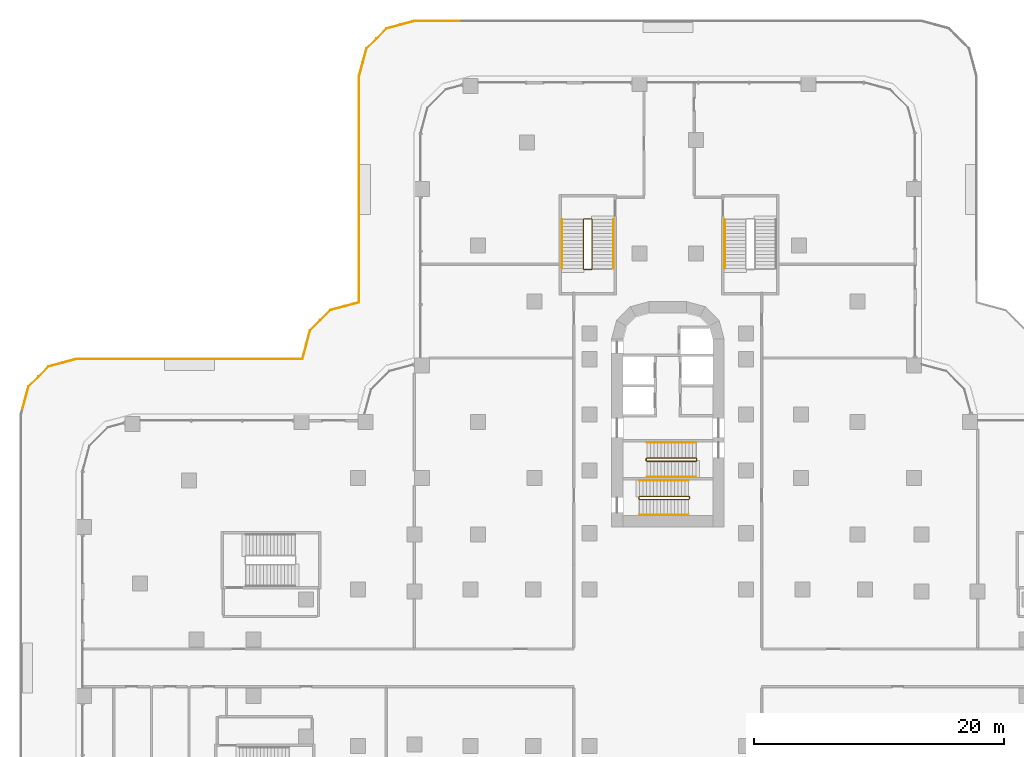
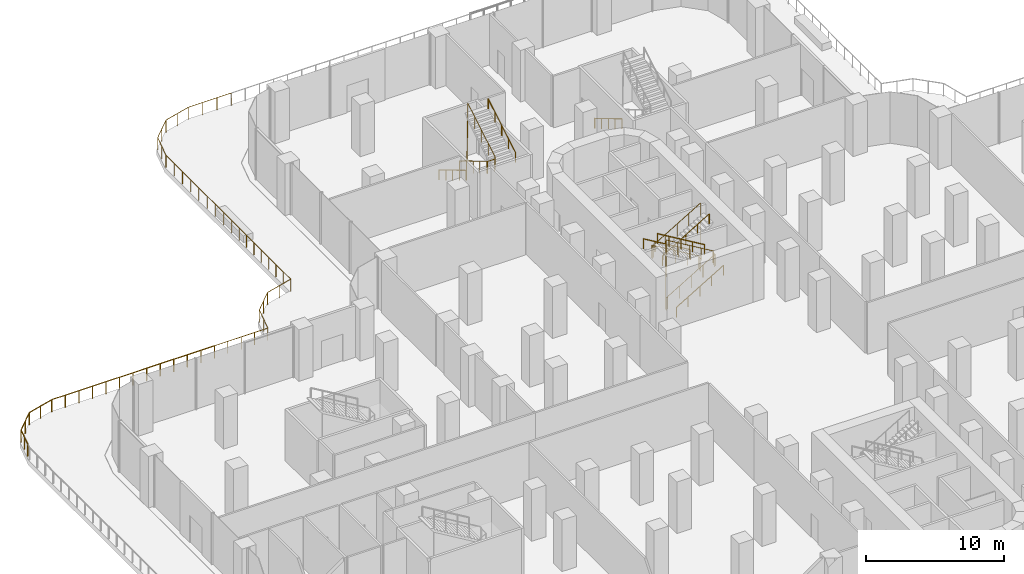
# One storey, part 27 of 29: 13 railings.
"""IFC4 building model written with IfcOpenShell, lengths in metres."""

from ifc_helpers import new_model, si_unit, direction, frame, origin, origin_2d, place, context, subcontext, project, spatial, circle, extrude, material, type_object, element, save


model = new_model("IFC4")

# Units and contexts
model_context = context("Model", 3, precision=1e-05, world=origin(), true_north=direction((0.0, 1.0)))
body_context = subcontext(model_context, "Body", "Model", "MODEL_VIEW")
ifc_project = project(units=[si_unit("LENGTHUNIT", "METRE"), si_unit("AREAUNIT", "SQUARE_METRE"), si_unit("VOLUMEUNIT", "CUBIC_METRE"), si_unit("PLANEANGLEUNIT", "RADIAN"), si_unit("MASSUNIT", "GRAM", prefix="KILO")], contexts=[model_context])

# Site, building, storey
site_placement = place(None, origin())
site = spatial("IfcSite", under=ifc_project, at=site_placement, CompositionType="ELEMENT")
building_placement = place(site_placement, origin())
building = spatial("IfcBuilding", under=site, at=building_placement, Name="Zarbagh Exchange Tower", CompositionType="ELEMENT")
storey_placement = place(building_placement, frame((0.0, 0.0, 12.0)))
storey = spatial("IfcBuildingStorey", under=building, at=storey_placement, Name="L02", CompositionType="ELEMENT", Elevation=12.0)

# Railings
ifc_material_1 = material(Name="Stainless steel", Category="steel")
railing_type_1 = type_object("IfcRailingType", Name="Stair guard 1100 mm", PredefinedType="GUARDRAIL", material=ifc_material_1)
railing_1_placement = place(storey_placement, frame((-1.669921875, 16.5, 2.666748046875)))
element("IfcRailing", 1, at=railing_1_placement, inside=storey, type_object=railing_type_1, Name="ST1 stair guard 1", PredefinedType="GUARDRAIL", context=body_context, shape_type="SweptSolid", body=[
    extrude(circle(Radius=0.02392578125, at=origin_2d()), frame((0.0, 0.0, 1.076171875), z_axis=(0.859296244711, 0.0, 0.511478214419), x_axis=(0.0, 1.0, 0.0)), (0.0, 0.0, 1.0), 4.561767578125),
    extrude(circle(Radius=0.02392578125, at=origin_2d()), frame((3.919921875, 0.0, 3.4091796875), z_axis=(0.010008762843, 0.010008762843, -0.999899819648), x_axis=(-0.707106781187, 0.707106781187, 0.0)), (0.0, 0.0, 1.0), 5.00048828125),
    extrude(circle(Radius=0.02392578125, at=origin_2d()), frame((3.969970703125, 0.050048828125, -1.5908203125), z_axis=(0.0, 1.0, 0.0), x_axis=(-1.0, 0.0, 0.0)), (0.0, 0.0, 1.0), 0.14990234375),
    extrude(circle(Radius=0.02392578125, at=origin_2d()), frame((3.969970703125, 0.199951171875, -1.5908203125), z_axis=(-0.27628659633, 0.27628659633, 0.920506074601), x_axis=(-0.707106781187, -0.707106781187, 0.0)), (0.0, 0.0, 1.0), 0.18115234375),
    extrude(circle(Radius=0.02392578125, at=origin_2d()), frame((3.919921875, 0.25, -1.423828125), z_axis=(-0.859296244711, 0.0, 0.511478214419), x_axis=(0.0, -1.0, 0.0)), (0.0, 0.0, 1.0), 4.561767578125),
    extrude(circle(Radius=0.02392578125, at=origin_2d()), frame((0.0, 0.25, 0.9091796875), z_axis=(-0.707106781187, -0.707106781187, 0.0), x_axis=(0.707106781187, -0.707106781187, 0.0)), (0.0, 0.0, 1.0), 0.07080078125),
    extrude(circle(Radius=0.02392578125, at=origin_2d()), frame((-0.050048828125, 0.199951171875, 0.9091796875), z_axis=(0.0, -1.0, 0.0), x_axis=(1.0, 0.0, 0.0)), (0.0, 0.0, 1.0), 0.14990234375),
    extrude(circle(Radius=0.02099609375, at=origin_2d()), origin(), (0.0, 0.0, 1.0), 1.052001953125),
    extrude(circle(Radius=0.02099609375, at=origin_2d()), frame((0.97998046875, 0.0, 0.583251953125)), (0.0, 0.0, 1.0), 1.052001953125),
    extrude(circle(Radius=0.02099609375, at=origin_2d()), frame((1.9599609375, 0.0, 1.16650390625)), (0.0, 0.0, 1.0), 1.052001953125),
    extrude(circle(Radius=0.02099609375, at=origin_2d()), frame((2.93994140625, 0.0, 1.75)), (0.0, 0.0, 1.0), 1.052001953125),
    extrude(circle(Radius=0.02099609375, at=origin_2d()), frame((3.919921875, 0.0, 2.333251953125)), (0.0, 0.0, 1.0), 1.052001953125),
    extrude(circle(Radius=0.02099609375, at=origin_2d()), frame((3.929931640625, 0.010009765625, 1.333251953125)), (0.0, 0.0, 1.0), 1.052001953125),
    extrude(circle(Radius=0.02099609375, at=origin_2d()), frame((3.93994140625, 0.02001953125, 0.333251953125)), (0.0, 0.0, 1.0), 1.052001953125),
    extrude(circle(Radius=0.02099609375, at=origin_2d()), frame((3.949951171875, 0.030029296875, -0.666748046875)), (0.0, 0.0, 1.0), 1.052001953125),
    extrude(circle(Radius=0.02099609375, at=origin_2d()), frame((3.9599609375, 0.0400390625, -1.666748046875)), (0.0, 0.0, 1.0), 1.052001953125),
    extrude(circle(Radius=0.02099609375, at=origin_2d()), frame((3.969970703125, 0.050048828125, -2.666748046875)), (0.0, 0.0, 1.0), 1.052001953125),
    extrude(circle(Radius=0.02099609375, at=origin_2d()), frame((3.969970703125, 0.199951171875, -2.666748046875)), (0.0, 0.0, 1.0), 1.052001953125),
    extrude(circle(Radius=0.02099609375, at=origin_2d()), frame((3.919921875, 0.25, -2.5)), (0.0, 0.0, 1.0), 1.052001953125),
    extrude(circle(Radius=0.02099609375, at=origin_2d()), frame((2.93994140625, 0.25, -1.916748046875)), (0.0, 0.0, 1.0), 1.052001953125),
    extrude(circle(Radius=0.02099609375, at=origin_2d()), frame((1.9599609375, 0.25, -1.33349609375)), (0.0, 0.0, 1.0), 1.052001953125),
    extrude(circle(Radius=0.02099609375, at=origin_2d()), frame((0.97998046875, 0.25, -0.75)), (0.0, 0.0, 1.0), 1.052001953125),
    extrude(circle(Radius=0.02099609375, at=origin_2d()), frame((0.0, 0.25, -0.166748046875)), (0.0, 0.0, 1.0), 1.052001953125),
    extrude(circle(Radius=0.02099609375, at=origin_2d()), frame((-0.050048828125, 0.199951171875, -0.166748046875)), (0.0, 0.0, 1.0), 1.052001953125),
    extrude(circle(Radius=0.02099609375, at=origin_2d()), frame((-0.050048828125, 0.050048828125, -0.166748046875)), (0.0, 0.0, 1.0), 1.052001953125),
])
railing_2_placement = place(storey_placement, frame((1.719970703125, 13.5, 2.5)))
element("IfcRailing", 2, at=railing_2_placement, inside=storey, type_object=railing_type_1, Name="ST2 stair guard 1", PredefinedType="GUARDRAIL", context=body_context, shape_type="SweptSolid", body=[
    extrude(circle(Radius=0.02392578125, at=origin_2d()), frame((0.0, 0.0, 1.076171875), z_axis=(0.0, 1.0, 0.0), x_axis=(-1.0, 0.0, 0.0)), (0.0, 0.0, 1.0), 0.14990234375),
    extrude(circle(Radius=0.02392578125, at=origin_2d()), frame((0.0, 0.14990234375, 1.076171875), z_axis=(-0.27628659633, 0.27628659633, 0.920506074601), x_axis=(-0.707106781187, -0.707106781187, 0.0)), (0.0, 0.0, 1.0), 0.18115234375),
    extrude(circle(Radius=0.02392578125, at=origin_2d()), frame((-0.050048828125, 0.199951171875, 1.24267578125), z_axis=(-0.859296244711, 0.0, 0.511478214419), x_axis=(0.0, -1.0, 0.0)), (0.0, 0.0, 1.0), 4.561767578125),
    extrude(circle(Radius=0.02392578125, at=origin_2d()), frame((-3.969970703125, 0.199951171875, 3.576171875), z_axis=(-0.010008762843, -0.010008762843, -0.999899819648), x_axis=(0.707106781187, -0.707106781187, 0.0)), (0.0, 0.0, 1.0), 5.00048828125),
    extrude(circle(Radius=0.02392578125, at=origin_2d()), frame((-4.02001953125, 0.14990234375, -1.423828125), z_axis=(0.0, -1.0, 0.0), x_axis=(1.0, 0.0, 0.0)), (0.0, 0.0, 1.0), 0.14990234375),
    extrude(circle(Radius=0.02392578125, at=origin_2d()), frame((-4.02001953125, 0.0, -1.423828125), z_axis=(0.27628659633, -0.27628659633, 0.920506074601), x_axis=(0.707106781187, 0.707106781187, 0.0)), (0.0, 0.0, 1.0), 0.18115234375),
    extrude(circle(Radius=0.02392578125, at=origin_2d()), frame((-3.969970703125, -0.050048828125, -1.25732421875), z_axis=(0.859296244711, 0.0, 0.511478214419), x_axis=(0.0, 1.0, 0.0)), (0.0, 0.0, 1.0), 4.561767578125),
    extrude(circle(Radius=0.02099609375, at=origin_2d()), origin(), (0.0, 0.0, 1.0), 1.052001953125),
    extrude(circle(Radius=0.02099609375, at=origin_2d()), frame((0.0, 0.14990234375, 0.0)), (0.0, 0.0, 1.0), 1.052001953125),
    extrude(circle(Radius=0.02099609375, at=origin_2d()), frame((-0.050048828125, 0.199951171875, 0.166748046875)), (0.0, 0.0, 1.0), 1.052001953125),
    extrude(circle(Radius=0.02099609375, at=origin_2d()), frame((-1.030029296875, 0.199951171875, 0.75)), (0.0, 0.0, 1.0), 1.052001953125),
    extrude(circle(Radius=0.02099609375, at=origin_2d()), frame((-2.010009765625, 0.199951171875, 1.33349609375)), (0.0, 0.0, 1.0), 1.052001953125),
    extrude(circle(Radius=0.02099609375, at=origin_2d()), frame((-2.989990234375, 0.199951171875, 1.916748046875)), (0.0, 0.0, 1.0), 1.052001953125),
    extrude(circle(Radius=0.02099609375, at=origin_2d()), frame((-3.969970703125, 0.199951171875, 2.5)), (0.0, 0.0, 1.0), 1.052001953125),
    extrude(circle(Radius=0.02099609375, at=origin_2d()), frame((-3.97998046875, 0.18994140625, 1.5)), (0.0, 0.0, 1.0), 1.052001953125),
    extrude(circle(Radius=0.02099609375, at=origin_2d()), frame((-3.989990234375, 0.179931640625, 0.5)), (0.0, 0.0, 1.0), 1.052001953125),
    extrude(circle(Radius=0.02099609375, at=origin_2d()), frame((-4.0, 0.169921875, -0.5)), (0.0, 0.0, 1.0), 1.052001953125),
    extrude(circle(Radius=0.02099609375, at=origin_2d()), frame((-4.010009765625, 0.159912109375, -1.5)), (0.0, 0.0, 1.0), 1.052001953125),
    extrude(circle(Radius=0.02099609375, at=origin_2d()), frame((-4.02001953125, 0.14990234375, -2.5)), (0.0, 0.0, 1.0), 1.052001953125),
    extrude(circle(Radius=0.02099609375, at=origin_2d()), frame((-4.02001953125, 0.0, -2.5)), (0.0, 0.0, 1.0), 1.052001953125),
    extrude(circle(Radius=0.02099609375, at=origin_2d()), frame((-3.969970703125, -0.050048828125, -2.333251953125)), (0.0, 0.0, 1.0), 1.052001953125),
    extrude(circle(Radius=0.02099609375, at=origin_2d()), frame((-2.989990234375, -0.050048828125, -1.75)), (0.0, 0.0, 1.0), 1.052001953125),
    extrude(circle(Radius=0.02099609375, at=origin_2d()), frame((-2.010009765625, -0.050048828125, -1.16650390625)), (0.0, 0.0, 1.0), 1.052001953125),
    extrude(circle(Radius=0.02099609375, at=origin_2d()), frame((-1.030029296875, -0.050048828125, -0.583251953125)), (0.0, 0.0, 1.0), 1.052001953125),
    extrude(circle(Radius=0.02099609375, at=origin_2d()), frame((-0.050048828125, -0.050048828125, 0.0)), (0.0, 0.0, 1.0), 1.052001953125),
])
railing_3_placement = place(storey_placement, frame((-6.75, 35.800048828125, 0.166748046875)))
element("IfcRailing", 3, at=railing_3_placement, inside=storey, type_object=railing_type_1, Name="PS1 stair guard 1", PredefinedType="GUARDRAIL", context=body_context, shape_type="SweptSolid", body=[
    extrude(circle(Radius=0.02392578125, at=origin_2d()), frame((0.0, 0.0, 1.076171875), z_axis=(0.0, -0.859310244771, 0.511454693235), x_axis=(1.0, 0.0, 0.0)), (0.0, 0.0, 1.0), 4.56201171875),
    extrude(circle(Radius=0.02392578125, at=origin_2d()), frame((0.0, -3.920166015625, 3.4091796875), z_axis=(0.708833529934, -0.705375805398, 0.0), x_axis=(0.705375805398, 0.708833529934, 0.0)), (0.0, 0.0, 1.0), 0.070556640625),
    extrude(circle(Radius=0.02392578125, at=origin_2d()), frame((0.050048828125, -3.969970703125, 3.4091796875), z_axis=(1.0, 0.0, 0.0), x_axis=(0.0, 1.0, 0.0)), (0.0, 0.0, 1.0), 0.599853515625),
    extrude(circle(Radius=0.02392578125, at=origin_2d()), frame((0.64990234375, -3.969970703125, 3.4091796875), z_axis=(0.276389281352, 0.275041040955, 0.920848191041), x_axis=(-0.705375805398, 0.708833529934, 0.0)), (0.0, 0.0, 1.0), 0.18115234375),
    extrude(circle(Radius=0.02392578125, at=origin_2d()), frame((0.699951171875, -3.920166015625, 3.576171875), z_axis=(0.0, 0.859310244771, 0.511454693235), x_axis=(-1.0, 0.0, 0.0)), (0.0, 0.0, 1.0), 4.56201171875),
    extrude(circle(Radius=0.02392578125, at=origin_2d()), frame((0.699951171875, 0.0, 5.9091796875), z_axis=(-0.010008762843, 0.010008762843, -0.999899819648), x_axis=(-0.707106781187, -0.707106781187, 0.0)), (0.0, 0.0, 1.0), 5.00048828125),
    extrude(circle(Radius=0.02392578125, at=origin_2d()), frame((0.64990234375, 0.050048828125, 0.9091796875), z_axis=(-1.0, 0.0, 0.0), x_axis=(0.0, -1.0, 0.0)), (0.0, 0.0, 1.0), 0.599853515625),
    extrude(circle(Radius=0.02099609375, at=origin_2d()), origin(), (0.0, 0.0, 1.0), 1.052001953125),
    extrude(circle(Radius=0.02099609375, at=origin_2d()), frame((0.0, -0.97998046875, 0.583251953125)), (0.0, 0.0, 1.0), 1.052001953125),
    extrude(circle(Radius=0.02099609375, at=origin_2d()), frame((0.0, -1.9599609375, 1.16650390625)), (0.0, 0.0, 1.0), 1.052001953125),
    extrude(circle(Radius=0.02099609375, at=origin_2d()), frame((0.0, -2.940185546875, 1.75)), (0.0, 0.0, 1.0), 1.052001953125),
    extrude(circle(Radius=0.02099609375, at=origin_2d()), frame((0.0, -3.920166015625, 2.333251953125)), (0.0, 0.0, 1.0), 1.052001953125),
    extrude(circle(Radius=0.02099609375, at=origin_2d()), frame((0.050048828125, -3.969970703125, 2.333251953125)), (0.0, 0.0, 1.0), 1.052001953125),
    extrude(circle(Radius=0.02099609375, at=origin_2d()), frame((0.64990234375, -3.969970703125, 2.333251953125)), (0.0, 0.0, 1.0), 1.052001953125),
    extrude(circle(Radius=0.02099609375, at=origin_2d()), frame((0.699951171875, -3.920166015625, 2.5)), (0.0, 0.0, 1.0), 1.052001953125),
    extrude(circle(Radius=0.02099609375, at=origin_2d()), frame((0.699951171875, -2.940185546875, 3.083251953125)), (0.0, 0.0, 1.0), 1.052001953125),
    extrude(circle(Radius=0.02099609375, at=origin_2d()), frame((0.699951171875, -1.9599609375, 3.66650390625)), (0.0, 0.0, 1.0), 1.052001953125),
    extrude(circle(Radius=0.02099609375, at=origin_2d()), frame((0.699951171875, -0.97998046875, 4.25)), (0.0, 0.0, 1.0), 1.052001953125),
    extrude(circle(Radius=0.02099609375, at=origin_2d()), frame((0.699951171875, 0.0, 4.833251953125)), (0.0, 0.0, 1.0), 1.052001953125),
    extrude(circle(Radius=0.02099609375, at=origin_2d()), frame((0.68994140625, 0.010009765625, 3.833251953125)), (0.0, 0.0, 1.0), 1.052001953125),
    extrude(circle(Radius=0.02099609375, at=origin_2d()), frame((0.679931640625, 0.02001953125, 2.833251953125)), (0.0, 0.0, 1.0), 1.052001953125),
    extrude(circle(Radius=0.02099609375, at=origin_2d()), frame((0.669921875, 0.030029296875, 1.833251953125)), (0.0, 0.0, 1.0), 1.052001953125),
    extrude(circle(Radius=0.02099609375, at=origin_2d()), frame((0.659912109375, 0.0400390625, 0.833251953125)), (0.0, 0.0, 1.0), 1.052001953125),
    extrude(circle(Radius=0.02099609375, at=origin_2d()), frame((0.64990234375, 0.050048828125, -0.166748046875)), (0.0, 0.0, 1.0), 1.052001953125),
    extrude(circle(Radius=0.02099609375, at=origin_2d()), frame((0.050048828125, 0.050048828125, -0.166748046875)), (0.0, 0.0, 1.0), 1.052001953125),
])
railing_type_2 = type_object("IfcRailingType", Name="Stair handrail 900 mm", PredefinedType="HANDRAIL", material=ifc_material_1)
railing_4_placement = place(storey_placement, frame((2.25, 18.0, 0.166748046875)))
element("IfcRailing", 4, at=railing_4_placement, inside=storey, type_object=railing_type_2, Name="ST1 stair handrail 1", PredefinedType="HANDRAIL", context=body_context, shape_type="SweptSolid", body=[
    extrude(circle(Radius=0.02392578125, at=origin_2d()), frame((0.0, 0.0, 0.8759765625), z_axis=(-0.859296244711, 0.0, 0.511478214419), x_axis=(0.0, -1.0, 0.0)), (0.0, 0.0, 1.0), 4.561767578125),
    extrude(circle(Radius=0.02099609375, at=origin_2d()), origin(), (0.0, 0.0, 1.0), 0.851806640625),
    extrude(circle(Radius=0.02099609375, at=origin_2d()), frame((-0.97998046875, 0.0, 0.583251953125)), (0.0, 0.0, 1.0), 0.851806640625),
    extrude(circle(Radius=0.02099609375, at=origin_2d()), frame((-1.9599609375, 0.0, 1.16650390625)), (0.0, 0.0, 1.0), 0.851806640625),
    extrude(circle(Radius=0.02099609375, at=origin_2d()), frame((-2.93994140625, 0.0, 1.75)), (0.0, 0.0, 1.0), 0.851806640625),
    extrude(circle(Radius=0.02099609375, at=origin_2d()), frame((-3.919921875, 0.0, 2.333251953125)), (0.0, 0.0, 1.0), 0.851806640625),
])
for number, where, name in (
    (5, (-1.669921875, 15.25, 2.666748046875), "ST1 stair handrail 2"),
    (6, (-2.25, 12.199951171875, 0.166748046875), "ST2 stair handrail 1"),
):
    element("IfcRailing", number, at=place(storey_placement, frame(where)), inside=storey, type_object=railing_type_2, Name=name, PredefinedType="HANDRAIL", context=body_context, shape_type="SweptSolid", body=[
        extrude(circle(Radius=0.02392578125, at=origin_2d()), frame((0.0, 0.0, 0.8759765625), z_axis=(0.859296244711, 0.0, 0.511478214419), x_axis=(0.0, 1.0, 0.0)), (0.0, 0.0, 1.0), 4.561767578125),
        extrude(circle(Radius=0.02099609375, at=origin_2d()), origin(), (0.0, 0.0, 1.0), 0.851806640625),
        extrude(circle(Radius=0.02099609375, at=origin_2d()), frame((0.97998046875, 0.0, 0.583251953125)), (0.0, 0.0, 1.0), 0.851806640625),
        extrude(circle(Radius=0.02099609375, at=origin_2d()), frame((1.9599609375, 0.0, 1.16650390625)), (0.0, 0.0, 1.0), 0.851806640625),
        extrude(circle(Radius=0.02099609375, at=origin_2d()), frame((2.93994140625, 0.0, 1.75)), (0.0, 0.0, 1.0), 0.851806640625),
        extrude(circle(Radius=0.02099609375, at=origin_2d()), frame((3.919921875, 0.0, 2.333251953125)), (0.0, 0.0, 1.0), 0.851806640625),
    ])
railing_5_placement = place(storey_placement, frame((1.669921875, 14.949951171875, 2.666748046875)))
element("IfcRailing", 7, at=railing_5_placement, inside=storey, type_object=railing_type_2, Name="ST2 stair handrail 2", PredefinedType="HANDRAIL", context=body_context, shape_type="SweptSolid", body=[
    extrude(circle(Radius=0.02392578125, at=origin_2d()), frame((0.0, 0.0, 0.8759765625), z_axis=(-0.859296244711, 0.0, 0.511478214419), x_axis=(0.0, -1.0, 0.0)), (0.0, 0.0, 1.0), 4.561767578125),
    extrude(circle(Radius=0.02099609375, at=origin_2d()), origin(), (0.0, 0.0, 1.0), 0.851806640625),
    extrude(circle(Radius=0.02099609375, at=origin_2d()), frame((-0.97998046875, 0.0, 0.583251953125)), (0.0, 0.0, 1.0), 0.851806640625),
    extrude(circle(Radius=0.02099609375, at=origin_2d()), frame((-1.9599609375, 0.0, 1.16650390625)), (0.0, 0.0, 1.0), 0.851806640625),
    extrude(circle(Radius=0.02099609375, at=origin_2d()), frame((-2.93994140625, 0.0, 1.75)), (0.0, 0.0, 1.0), 0.851806640625),
    extrude(circle(Radius=0.02099609375, at=origin_2d()), frame((-3.919921875, 0.0, 2.333251953125)), (0.0, 0.0, 1.0), 0.851806640625),
])
railing_6_placement = place(storey_placement, frame((-8.449951171875, 35.800048828125, 0.166748046875)))
element("IfcRailing", 8, at=railing_6_placement, inside=storey, type_object=railing_type_2, Name="PS1 stair handrail 1", PredefinedType="HANDRAIL", context=body_context, shape_type="SweptSolid", body=[
    extrude(circle(Radius=0.02392578125, at=origin_2d()), frame((0.0, 0.0, 0.8759765625), z_axis=(0.0, -0.859310244771, 0.511454693235), x_axis=(1.0, 0.0, 0.0)), (0.0, 0.0, 1.0), 4.56201171875),
    extrude(circle(Radius=0.02099609375, at=origin_2d()), origin(), (0.0, 0.0, 1.0), 0.851806640625),
    extrude(circle(Radius=0.02099609375, at=origin_2d()), frame((0.0, -0.97998046875, 0.583251953125)), (0.0, 0.0, 1.0), 0.851806640625),
    extrude(circle(Radius=0.02099609375, at=origin_2d()), frame((0.0, -1.9599609375, 1.16650390625)), (0.0, 0.0, 1.0), 0.851806640625),
    extrude(circle(Radius=0.02099609375, at=origin_2d()), frame((0.0, -2.940185546875, 1.75)), (0.0, 0.0, 1.0), 0.851806640625),
    extrude(circle(Radius=0.02099609375, at=origin_2d()), frame((0.0, -3.920166015625, 2.333251953125)), (0.0, 0.0, 1.0), 0.851806640625),
])
railing_7_placement = place(storey_placement, frame((-4.35009765625, 31.8798828125, 2.666748046875)))
element("IfcRailing", 9, at=railing_7_placement, inside=storey, type_object=railing_type_2, Name="PS1 stair handrail 2", PredefinedType="HANDRAIL", context=body_context, shape_type="SweptSolid", body=[
    extrude(circle(Radius=0.02392578125, at=origin_2d()), frame((0.0, 0.0, 0.8759765625), z_axis=(0.0, 0.859310244771, 0.511454693235), x_axis=(-1.0, 0.0, 0.0)), (0.0, 0.0, 1.0), 4.56201171875),
    extrude(circle(Radius=0.02099609375, at=origin_2d()), origin(), (0.0, 0.0, 1.0), 0.851806640625),
    extrude(circle(Radius=0.02099609375, at=origin_2d()), frame((0.0, 0.97998046875, 0.583251953125)), (0.0, 0.0, 1.0), 0.851806640625),
    extrude(circle(Radius=0.02099609375, at=origin_2d()), frame((0.0, 1.9599609375, 1.16650390625)), (0.0, 0.0, 1.0), 0.851806640625),
    extrude(circle(Radius=0.02099609375, at=origin_2d()), frame((0.0, 2.940185546875, 1.75)), (0.0, 0.0, 1.0), 0.851806640625),
    extrude(circle(Radius=0.02099609375, at=origin_2d()), frame((0.0, 3.920166015625, 2.333251953125)), (0.0, 0.0, 1.0), 0.851806640625),
])
railing_8_placement = place(storey_placement, frame((4.550048828125, 35.800048828125, 0.166748046875)))
element("IfcRailing", 10, at=railing_8_placement, inside=storey, type_object=railing_type_2, Name="PS2 stair handrail 1", PredefinedType="HANDRAIL", context=body_context, shape_type="SweptSolid", body=[
    extrude(circle(Radius=0.02392578125, at=origin_2d()), frame((0.0, 0.0, 0.8759765625), z_axis=(0.0, -0.859310244771, 0.511454693235), x_axis=(1.0, 0.0, 0.0)), (0.0, 0.0, 1.0), 4.56201171875),
    extrude(circle(Radius=0.02099609375, at=origin_2d()), origin(), (0.0, 0.0, 1.0), 0.851806640625),
    extrude(circle(Radius=0.02099609375, at=origin_2d()), frame((0.0, -0.97998046875, 0.583251953125)), (0.0, 0.0, 1.0), 0.851806640625),
    extrude(circle(Radius=0.02099609375, at=origin_2d()), frame((0.0, -1.9599609375, 1.16650390625)), (0.0, 0.0, 1.0), 0.851806640625),
    extrude(circle(Radius=0.02099609375, at=origin_2d()), frame((0.0, -2.940185546875, 1.75)), (0.0, 0.0, 1.0), 0.851806640625),
    extrude(circle(Radius=0.02099609375, at=origin_2d()), frame((0.0, -3.920166015625, 2.333251953125)), (0.0, 0.0, 1.0), 0.851806640625),
])
ifc_material_2 = material(Name="Stainless steel and laminated glass", Category="steel")
railing_type_3 = type_object("IfcRailingType", Name="Terrace guard, glass balustrade 1.1 m", PredefinedType="GUARDRAIL", material=ifc_material_2)
railing_9_placement = place(storey_placement, frame((-51.5478515625, 20.695556640625, 0.0)))
element("IfcRailing", 11, at=railing_9_placement, inside=storey, type_object=railing_type_3, Name="TG01 terrace guard", PredefinedType="GUARDRAIL", context=body_context, shape_type="SweptSolid", body=[
    extrude(circle(Radius=0.02490234375, at=origin_2d()), frame((0.0, 0.0, 1.0751953125), z_axis=(0.258836378157, 0.965921181744, 0.0), x_axis=(-0.965921181744, 0.258836378157, 0.0)), (0.0, 0.0, 1.0), 1.8251953125),
    extrude(circle(Radius=0.02490234375, at=origin_2d()), frame((0.472412109375, 1.762939453125, 1.0751953125), z_axis=(0.707106781187, 0.707106781187, 0.0), x_axis=(-0.707106781187, 0.707106781187, 0.0)), (0.0, 0.0, 1.0), 2.28662109375),
    extrude(circle(Radius=0.02490234375, at=origin_2d()), frame((2.08935546875, 3.3798828125, 1.0751953125), z_axis=(0.965936192935, 0.258780353152, 0.0), x_axis=(-0.258780353152, 0.965936192935, 0.0)), (0.0, 0.0, 1.0), 2.29736328125),
    extrude(circle(Radius=0.02490234375, at=origin_2d()), frame((4.308349609375, 3.974365234375, 1.0751953125), z_axis=(1.0, 0.0, 0.0), x_axis=(0.0, 1.0, 0.0)), (0.0, 0.0, 1.0), 13.5908203125),
    extrude(circle(Radius=0.02490234375, at=origin_2d()), origin(), (0.0, 0.0, 1.0), 1.050048828125),
    extrude(circle(Radius=0.02490234375, at=origin_2d()), frame((0.236328125, 0.88134765625, 0.0)), (0.0, 0.0, 1.0), 1.050048828125),
    extrude(circle(Radius=0.02490234375, at=origin_2d()), frame((0.472412109375, 1.762939453125, 0.0)), (0.0, 0.0, 1.0), 1.050048828125),
    extrude(circle(Radius=0.02490234375, at=origin_2d()), frame((1.28076171875, 2.5712890625, 0.0)), (0.0, 0.0, 1.0), 1.050048828125),
    extrude(circle(Radius=0.02490234375, at=origin_2d()), frame((2.08935546875, 3.3798828125, 0.0)), (0.0, 0.0, 1.0), 1.050048828125),
    extrude(circle(Radius=0.02490234375, at=origin_2d()), frame((3.19873046875, 3.67724609375, 0.0)), (0.0, 0.0, 1.0), 1.050048828125),
    extrude(circle(Radius=0.02490234375, at=origin_2d()), frame((4.308349609375, 3.974365234375, 0.0)), (0.0, 0.0, 1.0), 1.050048828125),
    extrude(circle(Radius=0.02490234375, at=origin_2d()), frame((5.44091796875, 3.974365234375, 0.0)), (0.0, 0.0, 1.0), 1.050048828125),
    extrude(circle(Radius=0.02490234375, at=origin_2d()), frame((6.573486328125, 3.974365234375, 0.0)), (0.0, 0.0, 1.0), 1.050048828125),
    extrude(circle(Radius=0.02490234375, at=origin_2d()), frame((7.7060546875, 3.974365234375, 0.0)), (0.0, 0.0, 1.0), 1.050048828125),
    extrude(circle(Radius=0.02490234375, at=origin_2d()), frame((8.838623046875, 3.974365234375, 0.0)), (0.0, 0.0, 1.0), 1.050048828125),
    extrude(circle(Radius=0.02490234375, at=origin_2d()), frame((9.97119140625, 3.974365234375, 0.0)), (0.0, 0.0, 1.0), 1.050048828125),
    extrude(circle(Radius=0.02490234375, at=origin_2d()), frame((11.103759765625, 3.974365234375, 0.0)), (0.0, 0.0, 1.0), 1.050048828125),
    extrude(circle(Radius=0.02490234375, at=origin_2d()), frame((12.236328125, 3.974365234375, 0.0)), (0.0, 0.0, 1.0), 1.050048828125),
    extrude(circle(Radius=0.02490234375, at=origin_2d()), frame((13.368896484375, 3.974365234375, 0.0)), (0.0, 0.0, 1.0), 1.050048828125),
    extrude(circle(Radius=0.02490234375, at=origin_2d()), frame((14.50146484375, 3.974365234375, 0.0)), (0.0, 0.0, 1.0), 1.050048828125),
    extrude(circle(Radius=0.02490234375, at=origin_2d()), frame((15.634033203125, 3.974365234375, 0.0)), (0.0, 0.0, 1.0), 1.050048828125),
    extrude(circle(Radius=0.02490234375, at=origin_2d()), frame((16.7666015625, 3.974365234375, 0.0)), (0.0, 0.0, 1.0), 1.050048828125),
    extrude(circle(Radius=0.02490234375, at=origin_2d()), frame((17.899169921875, 3.974365234375, 0.0)), (0.0, 0.0, 1.0), 1.050048828125),
])
railing_10_placement = place(storey_placement, frame((-33.648681640625, 24.669921875, 0.0)))
element("IfcRailing", 12, at=railing_10_placement, inside=storey, type_object=railing_type_3, Name="TG01 terrace guard", PredefinedType="GUARDRAIL", context=body_context, shape_type="SweptSolid", body=[
    extrude(circle(Radius=0.02490234375, at=origin_2d()), frame((0.0, 0.0, 1.0751953125), z_axis=(1.0, 0.0, 0.0), x_axis=(0.0, 1.0, 0.0)), (0.0, 0.0, 1.0), 4.4599609375),
    extrude(circle(Radius=0.02490234375, at=origin_2d()), frame((4.4599609375, 0.0, 1.0751953125), z_axis=(0.258842529128, 0.965919533457, 0.0), x_axis=(-0.965919533457, 0.258842529128, 0.0)), (0.0, 0.0, 1.0), 2.369384765625),
    extrude(circle(Radius=0.02490234375, at=origin_2d()), frame((5.0732421875, 2.28857421875, 1.0751953125), z_axis=(0.707106781187, 0.707106781187, 0.0), x_axis=(-0.707106781187, 0.707106781187, 0.0)), (0.0, 0.0, 1.0), 2.28662109375),
    extrude(circle(Radius=0.02490234375, at=origin_2d()), frame((6.690185546875, 3.905517578125, 1.0751953125), z_axis=(0.965919533457, 0.258842529128, 0.0), x_axis=(-0.258842529128, 0.965919533457, 0.0)), (0.0, 0.0, 1.0), 2.369384765625),
    extrude(circle(Radius=0.02490234375, at=origin_2d()), frame((8.978759765625, 4.518798828125, 1.0751953125), z_axis=(0.0, 1.0, 0.0), x_axis=(-1.0, 0.0, 0.0)), (0.0, 0.0, 1.0), 8.5146484375),
    extrude(circle(Radius=0.02490234375, at=origin_2d()), origin(), (0.0, 0.0, 1.0), 1.050048828125),
    extrude(circle(Radius=0.02490234375, at=origin_2d()), frame((1.114990234375, 0.0, 0.0)), (0.0, 0.0, 1.0), 1.050048828125),
    extrude(circle(Radius=0.02490234375, at=origin_2d()), frame((2.22998046875, 0.0, 0.0)), (0.0, 0.0, 1.0), 1.050048828125),
    extrude(circle(Radius=0.02490234375, at=origin_2d()), frame((3.344970703125, 0.0, 0.0)), (0.0, 0.0, 1.0), 1.050048828125),
    extrude(circle(Radius=0.02490234375, at=origin_2d()), frame((4.4599609375, 0.0, 0.0)), (0.0, 0.0, 1.0), 1.050048828125),
    extrude(circle(Radius=0.02490234375, at=origin_2d()), frame((4.7666015625, 1.144287109375, 0.0)), (0.0, 0.0, 1.0), 1.050048828125),
    extrude(circle(Radius=0.02490234375, at=origin_2d()), frame((5.0732421875, 2.28857421875, 0.0)), (0.0, 0.0, 1.0), 1.050048828125),
    extrude(circle(Radius=0.02490234375, at=origin_2d()), frame((5.8818359375, 3.09716796875, 0.0)), (0.0, 0.0, 1.0), 1.050048828125),
    extrude(circle(Radius=0.02490234375, at=origin_2d()), frame((6.690185546875, 3.905517578125, 0.0)), (0.0, 0.0, 1.0), 1.050048828125),
    extrude(circle(Radius=0.02490234375, at=origin_2d()), frame((7.83447265625, 4.212158203125, 0.0)), (0.0, 0.0, 1.0), 1.050048828125),
    extrude(circle(Radius=0.02490234375, at=origin_2d()), frame((8.978759765625, 4.518798828125, 0.0)), (0.0, 0.0, 1.0), 1.050048828125),
    extrude(circle(Radius=0.02490234375, at=origin_2d()), frame((8.978759765625, 5.5830078125, 0.0)), (0.0, 0.0, 1.0), 1.050048828125),
    extrude(circle(Radius=0.02490234375, at=origin_2d()), frame((8.978759765625, 6.6474609375, 0.0)), (0.0, 0.0, 1.0), 1.050048828125),
    extrude(circle(Radius=0.02490234375, at=origin_2d()), frame((8.978759765625, 7.7119140625, 0.0)), (0.0, 0.0, 1.0), 1.050048828125),
    extrude(circle(Radius=0.02490234375, at=origin_2d()), frame((8.978759765625, 8.776123046875, 0.0)), (0.0, 0.0, 1.0), 1.050048828125),
    extrude(circle(Radius=0.02490234375, at=origin_2d()), frame((8.978759765625, 9.84033203125, 0.0)), (0.0, 0.0, 1.0), 1.050048828125),
    extrude(circle(Radius=0.02490234375, at=origin_2d()), frame((8.978759765625, 10.90478515625, 0.0)), (0.0, 0.0, 1.0), 1.050048828125),
    extrude(circle(Radius=0.02490234375, at=origin_2d()), frame((8.978759765625, 11.96923828125, 0.0)), (0.0, 0.0, 1.0), 1.050048828125),
    extrude(circle(Radius=0.02490234375, at=origin_2d()), frame((8.978759765625, 13.033447265625, 0.0)), (0.0, 0.0, 1.0), 1.050048828125),
])
railing_11_placement = place(storey_placement, frame((-24.669921875, 37.703369140625, 0.0)))
element("IfcRailing", 13, at=railing_11_placement, inside=storey, type_object=railing_type_3, Name="TG01 terrace guard", PredefinedType="GUARDRAIL", context=body_context, shape_type="SweptSolid", body=[
    extrude(circle(Radius=0.02490234375, at=origin_2d()), frame((0.0, 0.0, 1.0751953125), z_axis=(0.0, 1.0, 0.0), x_axis=(-1.0, 0.0, 0.0)), (0.0, 0.0, 1.0), 9.5361328125),
    extrude(circle(Radius=0.02490234375, at=origin_2d()), frame((0.0, 9.5361328125, 1.0751953125), z_axis=(0.258780353152, 0.965936192935, 0.0), x_axis=(-0.965936192935, 0.258780353152, 0.0)), (0.0, 0.0, 1.0), 2.29736328125),
    extrude(circle(Radius=0.02490234375, at=origin_2d()), frame((0.594482421875, 11.755126953125, 1.0751953125), z_axis=(0.707106781187, 0.707106781187, 0.0), x_axis=(-0.707106781187, 0.707106781187, 0.0)), (0.0, 0.0, 1.0), 2.28662109375),
    extrude(circle(Radius=0.02490234375, at=origin_2d()), frame((2.21142578125, 13.3720703125, 1.0751953125), z_axis=(0.965936192935, 0.258780353152, 0.0), x_axis=(-0.258780353152, 0.965936192935, 0.0)), (0.0, 0.0, 1.0), 2.29736328125),
    extrude(circle(Radius=0.02490234375, at=origin_2d()), frame((4.430419921875, 13.966552734375, 1.0751953125), z_axis=(1.0, 0.0, 0.0), x_axis=(0.0, 1.0, 0.0)), (0.0, 0.0, 1.0), 3.582763671875),
    extrude(circle(Radius=0.02490234375, at=origin_2d()), origin(), (0.0, 0.0, 1.0), 1.050048828125),
    extrude(circle(Radius=0.02490234375, at=origin_2d()), frame((0.0, 1.19189453125, 0.0)), (0.0, 0.0, 1.0), 1.050048828125),
    extrude(circle(Radius=0.02490234375, at=origin_2d()), frame((0.0, 2.384033203125, 0.0)), (0.0, 0.0, 1.0), 1.050048828125),
    extrude(circle(Radius=0.02490234375, at=origin_2d()), frame((0.0, 3.576171875, 0.0)), (0.0, 0.0, 1.0), 1.050048828125),
    extrude(circle(Radius=0.02490234375, at=origin_2d()), frame((0.0, 4.76806640625, 0.0)), (0.0, 0.0, 1.0), 1.050048828125),
    extrude(circle(Radius=0.02490234375, at=origin_2d()), frame((0.0, 5.9599609375, 0.0)), (0.0, 0.0, 1.0), 1.050048828125),
    extrude(circle(Radius=0.02490234375, at=origin_2d()), frame((0.0, 7.152099609375, 0.0)), (0.0, 0.0, 1.0), 1.050048828125),
    extrude(circle(Radius=0.02490234375, at=origin_2d()), frame((0.0, 8.34423828125, 0.0)), (0.0, 0.0, 1.0), 1.050048828125),
    extrude(circle(Radius=0.02490234375, at=origin_2d()), frame((0.0, 9.5361328125, 0.0)), (0.0, 0.0, 1.0), 1.050048828125),
    extrude(circle(Radius=0.02490234375, at=origin_2d()), frame((0.29736328125, 10.6455078125, 0.0)), (0.0, 0.0, 1.0), 1.050048828125),
    extrude(circle(Radius=0.02490234375, at=origin_2d()), frame((0.594482421875, 11.755126953125, 0.0)), (0.0, 0.0, 1.0), 1.050048828125),
    extrude(circle(Radius=0.02490234375, at=origin_2d()), frame((1.40283203125, 12.5634765625, 0.0)), (0.0, 0.0, 1.0), 1.050048828125),
    extrude(circle(Radius=0.02490234375, at=origin_2d()), frame((2.21142578125, 13.3720703125, 0.0)), (0.0, 0.0, 1.0), 1.050048828125),
    extrude(circle(Radius=0.02490234375, at=origin_2d()), frame((3.32080078125, 13.66943359375, 0.0)), (0.0, 0.0, 1.0), 1.050048828125),
    extrude(circle(Radius=0.02490234375, at=origin_2d()), frame((4.430419921875, 13.966552734375, 0.0)), (0.0, 0.0, 1.0), 1.050048828125),
    extrude(circle(Radius=0.02490234375, at=origin_2d()), frame((5.624755859375, 13.966552734375, 0.0)), (0.0, 0.0, 1.0), 1.050048828125),
    extrude(circle(Radius=0.02490234375, at=origin_2d()), frame((6.81884765625, 13.966552734375, 0.0)), (0.0, 0.0, 1.0), 1.050048828125),
    extrude(circle(Radius=0.02490234375, at=origin_2d()), frame((8.01318359375, 13.966552734375, 0.0)), (0.0, 0.0, 1.0), 1.050048828125),
])

save(model, "model.ifc")
